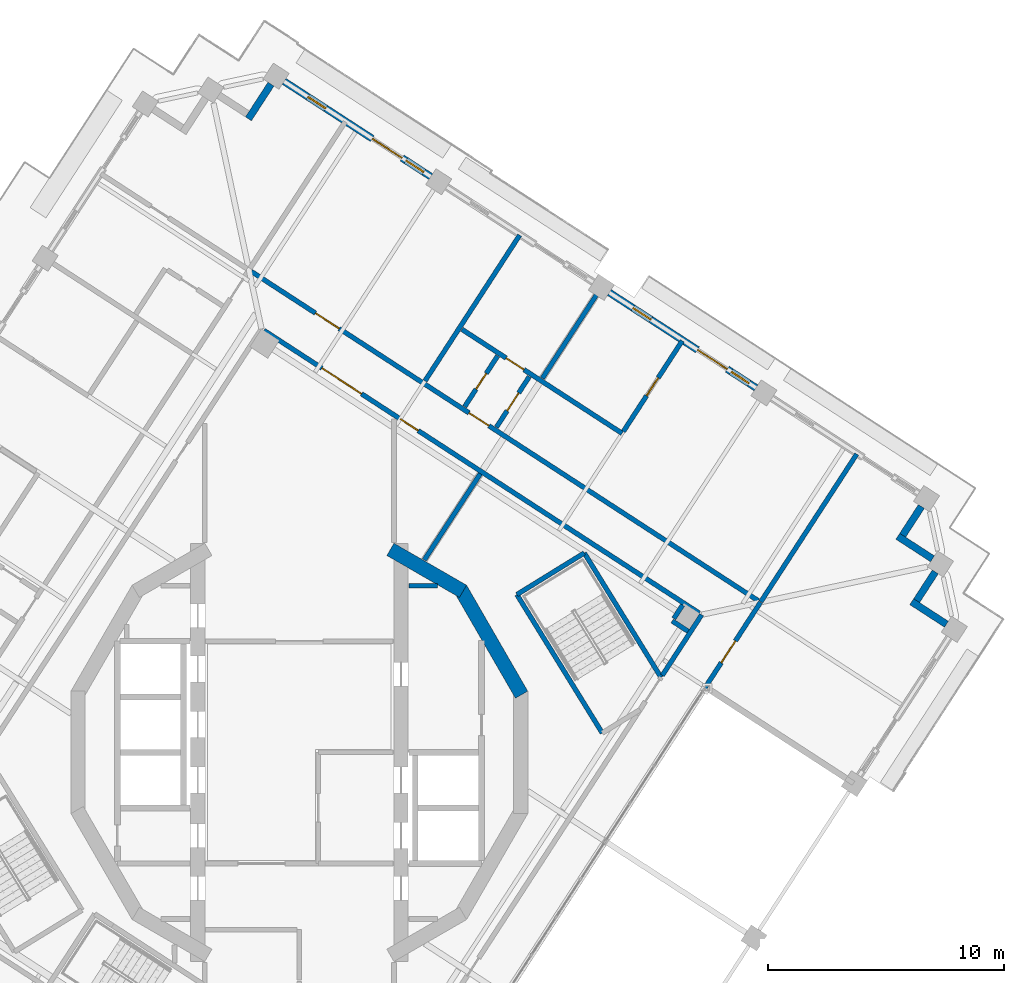
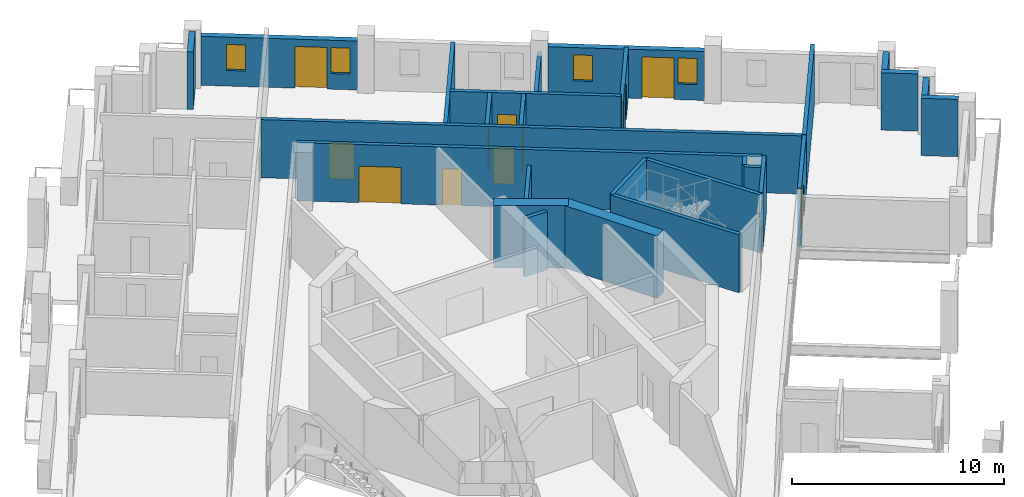
# One storey, part 10 of 17: 27 walls, 11 doors, 4 windows, 15 openings.
"""IFC4 building model written with IfcOpenShell, lengths in metres."""

from ifc_helpers import new_model, si_unit, direction, frame, frame_2d, origin, place, context, subcontext, project, spatial, rectangle, extrude, material, layer, layer_set, type_object, element, fill, save


model = new_model("IFC4")

# Units and contexts
model_context = context("Model", 3, precision=1e-05, world=origin(), true_north=direction((0.0, 1.0)))
body_context = subcontext(model_context, "Body", "Model", "MODEL_VIEW")
ifc_project = project(units=[si_unit("LENGTHUNIT", "METRE"), si_unit("AREAUNIT", "SQUARE_METRE"), si_unit("VOLUMEUNIT", "CUBIC_METRE"), si_unit("PLANEANGLEUNIT", "RADIAN"), si_unit("MASSUNIT", "GRAM", prefix="KILO")], contexts=[model_context])

# Site, building, storey
site_placement = place(None, origin())
site = spatial("IfcSite", under=ifc_project, at=site_placement, CompositionType="ELEMENT")
building_placement = place(site_placement, origin())
building = spatial("IfcBuilding", under=site, at=building_placement, Name="Cantera Rosa Tower", CompositionType="ELEMENT")
storey_placement = place(building_placement, frame((0.0, 0.0, 264.89990234375)))
storey = spatial("IfcBuildingStorey", under=building, at=storey_placement, Name="L59", CompositionType="ELEMENT", Elevation=264.89990234375)

# Wall, opening, door
ifc_material_1 = material(Name="Gypsum board partition")
ifc_layer_1 = layer(ifc_material_1, 0.199951171875)
ifc_layer_set_1 = layer_set([ifc_layer_1], Name="CORRIDOR WALL 200 H3350")
wall_type_1 = type_object("IfcWallType", Name="CORRIDOR WALL 200 H3350", PredefinedType="PARTITIONING", material=ifc_layer_set_1)
wall_1_placement = place(storey_placement, frame((17.106689453125, 2.656494140625, 0.0), z_axis=(0.0, 0.0, 1.0), x_axis=(0.544620124776, 0.838682848095, 0.0)))
wall_1 = element("IfcWall", 1, at=wall_1_placement, inside=storey, type_object=wall_type_1, Name="CORRIDOR WALL L59-067", PredefinedType="PARTITIONING", context=body_context, shape_type="SweptSolid", body=[
    extrude(rectangle(XDim=4.4052734375, YDim=0.199951171875, at=frame_2d((2.20263671875, 0.0))), origin(), (0.0, 0.0, 1.0), 3.35009765625),
])
opening_1_placement = place(wall_1_placement, frame((1.35498046875, 0.0, 0.0)))
opening_1 = element("IfcOpeningElement", 2, at=opening_1_placement, cuts=wall_1, Name="Opening L59-048", PredefinedType="OPENING", context=body_context, shape_type="SweptSolid", body=[
    extrude(rectangle(XDim=1.10009765625, YDim=2.10009765625, at=frame_2d((0.550048828125, 1.050048828125))), frame((0.0, 0.10986328125, 0.0), z_axis=(0.0, -1.0, 0.0), x_axis=(1.0, 0.0, 0.0)), (0.0, 0.0, 1.0), 0.219970703125),
])
ifc_material_2 = material(Name="Timber door leaf", Category="wood")
door_type_1 = type_object("IfcDoorType", Name="ROOM DOOR 1100x2100", OperationType="NOTDEFINED", PredefinedType="DOOR", material=ifc_material_2)
door_1_placement = place(opening_1_placement, origin())
door_1 = element("IfcDoor", 3, at=door_1_placement, inside=storey, type_object=door_type_1, Name="DOOR L59-048", OperationType="NOTDEFINED", OverallHeight=2.10009765625, OverallWidth=1.10009765625, PredefinedType="DOOR", context=body_context, shape_type="SweptSolid", body=[
    extrude(rectangle(XDim=1.10009765625, YDim=2.10009765625, at=frame_2d((0.550048828125, 1.050048828125))), frame((0.0, 0.02490234375, 0.0), z_axis=(0.0, -1.0, 0.0), x_axis=(1.0, 0.0, 0.0)), (0.0, 0.0, 1.0), 0.050048828125),
])
fill(opening_1, door_1)

# Wall
wall_2_placement = place(storey_placement, frame((15.349853515625, 3.256103515625, 0.0), z_axis=(0.0, 0.0, 1.0), x_axis=(0.544603984755, 0.838693328809, 0.0)))
element("IfcWall", 4, at=wall_2_placement, inside=storey, type_object=wall_type_1, Name="CORRIDOR WALL L59-094", PredefinedType="PARTITIONING", context=body_context, shape_type="SweptSolid", body=[
    extrude(rectangle(XDim=3.05908203125, YDim=0.199951171875, at=frame_2d((1.529541015625, 0.0))), origin(), (0.0, 0.0, 1.0), 3.35009765625),
])

# Wall, openings, doors
wall_3_placement = place(storey_placement, frame((16.915283203125, 5.88720703125, 0.0), z_axis=(0.0, 0.0, 1.0), x_axis=(-0.838672399173, 0.544636215161, 0.0)))
wall_3 = element("IfcWall", 5, at=wall_3_placement, inside=storey, type_object=wall_type_1, Name="CORRIDOR WALL L59-098", PredefinedType="PARTITIONING", context=body_context, shape_type="SweptSolid", body=[
    extrude(rectangle(XDim=21.9599609375, YDim=0.199951171875, at=frame_2d((10.97998046875, 0.0))), origin(), (0.0, 0.0, 1.0), 3.35009765625),
])
opening_2_placement = place(wall_3_placement, frame((14.17626953125, 0.0, 0.0)))
opening_2 = element("IfcOpeningElement", 6, at=opening_2_placement, cuts=wall_3, Name="Opening L59-004", PredefinedType="OPENING", context=body_context, shape_type="SweptSolid", body=[
    extrude(rectangle(XDim=0.89990234375, YDim=2.10009765625, at=frame_2d((0.449951171875, 1.050048828125))), frame((0.0, 0.10986328125, 0.0), z_axis=(0.0, -1.0, 0.0), x_axis=(1.0, 0.0, 0.0)), (0.0, 0.0, 1.0), 0.219970703125),
])
opening_3_placement = place(wall_3_placement, frame((17.030029296875, 0.0, 0.0)))
opening_3 = element("IfcOpeningElement", 7, at=opening_3_placement, cuts=wall_3, Name="Opening L59-008", PredefinedType="OPENING", context=body_context, shape_type="SweptSolid", body=[
    extrude(rectangle(XDim=2.0, YDim=2.10009765625, at=frame_2d((1.0, 1.050048828125))), frame((0.0, 0.10986328125, 0.0), z_axis=(0.0, -1.0, 0.0), x_axis=(1.0, 0.0, 0.0)), (0.0, 0.0, 1.0), 0.219970703125),
])
ifc_material_3 = material(Name="Steel S355J2 (EN 10025-2)", Category="steel")
door_type_2 = type_object("IfcDoorType", Name="LOBBY SCREEN DOOR 2000x2100", OperationType="NOTDEFINED", PredefinedType="DOOR", material=ifc_material_3)
door_2_placement = place(opening_3_placement, origin())
door_2 = element("IfcDoor", 8, at=door_2_placement, inside=storey, type_object=door_type_2, Name="DOOR L59-008", OperationType="NOTDEFINED", OverallHeight=2.10009765625, OverallWidth=2.0, PredefinedType="DOOR", context=body_context, shape_type="SweptSolid", body=[
    extrude(rectangle(XDim=2.0, YDim=2.10009765625, at=frame_2d((1.0, 1.050048828125))), frame((0.0, 0.02490234375, 0.0), z_axis=(0.0, -1.0, 0.0), x_axis=(1.0, 0.0, 0.0)), (0.0, 0.0, 1.0), 0.050048828125),
])
fill(opening_3, door_2)
ifc_material_4 = material(Name="Timber door leaf", Category="wood")
door_type_3 = type_object("IfcDoorType", Name="SERVICE DOOR 900x2100", OperationType="NOTDEFINED", PredefinedType="DOOR", material=ifc_material_4)
door_3_placement = place(opening_2_placement, origin())
door_3 = element("IfcDoor", 9, at=door_3_placement, inside=storey, type_object=door_type_3, Name="DOOR L59-004", OperationType="NOTDEFINED", OverallHeight=2.10009765625, OverallWidth=0.89990234375, PredefinedType="DOOR", context=body_context, shape_type="SweptSolid", body=[
    extrude(rectangle(XDim=0.89990234375, YDim=2.10009765625, at=frame_2d((0.449951171875, 1.050048828125))), frame((0.0, 0.02490234375, 0.0), z_axis=(0.0, -1.0, 0.0), x_axis=(1.0, 0.0, 0.0)), (0.0, 0.0, 1.0), 0.050048828125),
])
fill(opening_2, door_3)

wall_4_placement = place(storey_placement, frame((19.4052734375, 6.416259765625, 0.0), z_axis=(0.0, 0.0, 1.0), x_axis=(-0.838668754336, 0.544641827718, 0.0)))
wall_4 = element("IfcWall", 10, at=wall_4_placement, inside=storey, type_object=wall_type_1, Name="CORRIDOR WALL L59-099", PredefinedType="PARTITIONING", context=body_context, shape_type="SweptSolid", body=[
    extrude(rectangle(XDim=25.56005859375, YDim=0.199951171875, at=frame_2d((12.780029296875, 0.0))), origin(), (0.0, 0.0, 1.0), 3.35009765625),
])
opening_4_placement = place(wall_4_placement, frame((13.580078125, 0.0, 0.0)))
opening_4 = element("IfcOpeningElement", 11, at=opening_4_placement, cuts=wall_4, Name="Opening L59-019", PredefinedType="OPENING", context=body_context, shape_type="SweptSolid", body=[
    extrude(rectangle(XDim=1.0, YDim=2.10009765625, at=frame_2d((0.5, 1.050048828125))), frame((0.0, 0.10986328125, 0.0), z_axis=(0.0, -1.0, 0.0), x_axis=(1.0, 0.0, 0.0)), (0.0, 0.0, 1.0), 0.219970703125),
])
opening_5_placement = place(wall_4_placement, frame((21.1298828125, 0.0, 0.0)))
opening_5 = element("IfcOpeningElement", 12, at=opening_5_placement, cuts=wall_4, Name="Opening L59-024", PredefinedType="OPENING", context=body_context, shape_type="SweptSolid", body=[
    extrude(rectangle(XDim=1.199951171875, YDim=2.10009765625, at=frame_2d((0.60009765625, 1.050048828125))), frame((0.0, 0.10986328125, 0.0), z_axis=(0.0, -1.0, 0.0), x_axis=(1.0, 0.0, 0.0)), (0.0, 0.0, 1.0), 0.219970703125),
])
ifc_material_5 = material(Name="Timber door leaf", Category="wood")
door_type_4 = type_object("IfcDoorType", Name="ENTRANCE DOOR 1000x2100", OperationType="NOTDEFINED", PredefinedType="DOOR", material=ifc_material_5)
door_4_placement = place(opening_4_placement, origin())
door_4 = element("IfcDoor", 13, at=door_4_placement, inside=storey, type_object=door_type_4, Name="DOOR L59-019", OperationType="NOTDEFINED", OverallHeight=2.10009765625, OverallWidth=1.0, PredefinedType="DOOR", context=body_context, shape_type="SweptSolid", body=[
    extrude(rectangle(XDim=1.0, YDim=2.10009765625, at=frame_2d((0.5, 1.050048828125))), frame((0.0, 0.02490234375, 0.0), z_axis=(0.0, -1.0, 0.0), x_axis=(1.0, 0.0, 0.0)), (0.0, 0.0, 1.0), 0.050048828125),
])
fill(opening_4, door_4)
ifc_material_6 = material(Name="Timber door leaf", Category="wood")
door_type_5 = type_object("IfcDoorType", Name="ROOM DOOR 1200x2100", OperationType="NOTDEFINED", PredefinedType="DOOR", material=ifc_material_6)
door_5_placement = place(opening_5_placement, origin())
door_5 = element("IfcDoor", 14, at=door_5_placement, inside=storey, type_object=door_type_5, Name="DOOR L59-024", OperationType="NOTDEFINED", OverallHeight=2.10009765625, OverallWidth=1.199951171875, PredefinedType="DOOR", context=body_context, shape_type="SweptSolid", body=[
    extrude(rectangle(XDim=1.199951171875, YDim=2.10009765625, at=frame_2d((0.60009765625, 1.050048828125))), frame((0.0, 0.02490234375, 0.0), z_axis=(0.0, -1.0, 0.0), x_axis=(1.0, 0.0, 0.0)), (0.0, 0.0, 1.0), 0.050048828125),
])
fill(opening_5, door_5)

# Walls
ifc_material_7 = material(Name="Hollow clay masonry with cantera stone cladding", Category="masonry")
ifc_layer_2 = layer(ifc_material_7, 0.300048828125)
ifc_layer_set_2 = layer_set([ifc_layer_2], Name="EW-LOGGIA 300")
wall_type_2 = type_object("IfcWallType", Name="EW-LOGGIA 300", PredefinedType="SOLIDWALL", material=ifc_layer_set_2)
for number, where, z_axis, x_axis, name in (
    (15, (-1.2001953125, 28.263427734375, 0.0), (0.0, 0.0, 1.0), (-0.54461563776, -0.838685761837, 0.0), "EN-L59-W05a"),
    (16, (27.36669921875, 5.41943359375, 0.0), (0.0, 0.0, 1.0), (-0.838685761837, 0.54461563776, 0.0), "EN-L59-W25a"),
):
    element("IfcWall", number, at=place(storey_placement, frame(where, z_axis=z_axis, x_axis=x_axis)), inside=storey, type_object=wall_type_2, Name=name, PredefinedType="SOLIDWALL", context=body_context, shape_type="SweptSolid", body=[
        extrude(rectangle(XDim=1.75, YDim=0.300048828125, at=frame_2d((0.875, 0.0))), origin(), (0.0, 0.0, 1.0), 3.300048828125),
    ])
wall_5_placement = place(storey_placement, frame((26.1064453125, 6.41650390625, 0.0), z_axis=(0.0, 0.0, 1.0), x_axis=(0.54467465438, 0.838647435384, 0.0)))
element("IfcWall", 17, at=wall_5_placement, inside=storey, type_object=wall_type_2, Name="EN-L59-W25b", PredefinedType="SOLIDWALL", context=body_context, shape_type="SweptSolid", body=[
    extrude(rectangle(XDim=1.449951171875, YDim=0.300048828125, at=frame_2d((0.72509765625, 0.0))), origin(), (0.0, 0.0, 1.0), 3.300048828125),
])
wall_6_placement = place(storey_placement, frame((26.778564453125, 8.18603515625, 0.0), z_axis=(0.0, 0.0, 1.0), x_axis=(-0.838685761837, 0.54461563776, 0.0)))
element("IfcWall", 18, at=wall_6_placement, inside=storey, type_object=wall_type_2, Name="EN-L59-W26a", PredefinedType="SOLIDWALL", context=body_context, shape_type="SweptSolid", body=[
    extrude(rectangle(XDim=1.75, YDim=0.300048828125, at=frame_2d((0.875, 0.0))), origin(), (0.0, 0.0, 1.0), 3.300048828125),
])
wall_7_placement = place(storey_placement, frame((25.518310546875, 9.18310546875, 0.0), z_axis=(0.0, 0.0, 1.0), x_axis=(0.54467465438, 0.838647435384, 0.0)))
element("IfcWall", 19, at=wall_7_placement, inside=storey, type_object=wall_type_2, Name="EN-L59-W26b", PredefinedType="SOLIDWALL", context=body_context, shape_type="SweptSolid", body=[
    extrude(rectangle(XDim=1.449951171875, YDim=0.300048828125, at=frame_2d((0.72509765625, 0.0))), origin(), (0.0, 0.0, 1.0), 3.300048828125),
])

# Wall, openings, windows, door
ifc_material_8 = material(Name="Hollow clay masonry with cantera stone cladding", Category="masonry")
ifc_layer_3 = layer(ifc_material_8, 0.300048828125)
ifc_layer_set_3 = layer_set([ifc_layer_3], Name="EW-LOGGIA 300 H2820")
wall_type_3 = type_object("IfcWallType", Name="EW-LOGGIA 300 H2820", PredefinedType="SOLIDWALL", material=ifc_layer_set_3)
wall_8_placement = place(storey_placement, frame((19.3134765625, 15.418701171875, 0.0), z_axis=(0.0, 0.0, 1.0), x_axis=(-0.838679465365, 0.544625333946, 0.0)))
wall_8 = element("IfcWall", 20, at=wall_8_placement, inside=storey, type_object=wall_type_3, Name="EN-L59-W02", PredefinedType="SOLIDWALL", context=body_context, shape_type="SweptSolid", body=[
    extrude(rectangle(XDim=7.400146484375, YDim=0.300048828125, at=frame_2d((3.7001953125, 0.0))), origin(), (0.0, 0.0, 1.0), 2.820068359375),
])
opening_6_placement = place(wall_8_placement, frame((0.35009765625, 0.0, 0.89990234375)))
opening_6 = element("IfcOpeningElement", 21, at=opening_6_placement, cuts=wall_8, Name="Opening L59-W04", PredefinedType="OPENING", context=body_context, shape_type="SweptSolid", body=[
    extrude(rectangle(XDim=0.89990234375, YDim=1.5, at=frame_2d((0.449951171875, 0.75))), frame((0.0, 0.159912109375, 0.0), z_axis=(0.0, -1.0, 0.0), x_axis=(1.0, 0.0, 0.0)), (0.0, 0.0, 1.0), 0.320068359375),
])
opening_7_placement = place(wall_8_placement, frame((1.449951171875, 0.0, 0.0)))
opening_7 = element("IfcOpeningElement", 22, at=opening_7_placement, cuts=wall_8, Name="Opening L59-TD05", PredefinedType="OPENING", context=body_context, shape_type="SweptSolid", body=[
    extrude(rectangle(XDim=1.5, YDim=2.39990234375, at=frame_2d((0.75, 1.199951171875))), frame((0.0, 0.159912109375, 0.0), z_axis=(0.0, -1.0, 0.0), x_axis=(1.0, 0.0, 0.0)), (0.0, 0.0, 1.0), 0.320068359375),
])
opening_8_placement = place(wall_8_placement, frame((5.300048828125, 0.0, 0.89990234375)))
opening_8 = element("IfcOpeningElement", 23, at=opening_8_placement, cuts=wall_8, Name="Opening L59-W06", PredefinedType="OPENING", context=body_context, shape_type="SweptSolid", body=[
    extrude(rectangle(XDim=0.89990234375, YDim=1.5, at=frame_2d((0.449951171875, 0.75))), frame((0.0, 0.159912109375, 0.0), z_axis=(0.0, -1.0, 0.0), x_axis=(1.0, 0.0, 0.0)), (0.0, 0.0, 1.0), 0.320068359375),
])
ifc_material_9 = material(Name="Aluminium frame with clear glass", Category="aluminium")
window_type = type_object("IfcWindowType", Name="Residential window 900x1500", PartitioningType="SINGLE_PANEL", PredefinedType="WINDOW", material=ifc_material_9)
window_1_placement = place(opening_6_placement, origin())
window_1 = element("IfcWindow", 24, at=window_1_placement, inside=storey, type_object=window_type, Name="WINDOW L59-W04", OverallHeight=1.5, OverallWidth=0.89990234375, PartitioningType="SINGLE_PANEL", PredefinedType="WINDOW", context=body_context, shape_type="SweptSolid", body=[
    extrude(rectangle(XDim=0.89990234375, YDim=1.5, at=frame_2d((0.449951171875, 0.75))), frame((0.0, 0.030029296875, 0.0), z_axis=(0.0, -1.0, 0.0), x_axis=(1.0, 0.0, 0.0)), (0.0, 0.0, 1.0), 0.06005859375),
])
fill(opening_6, window_1)
window_2_placement = place(opening_8_placement, origin())
window_2 = element("IfcWindow", 25, at=window_2_placement, inside=storey, type_object=window_type, Name="WINDOW L59-W06", OverallHeight=1.5, OverallWidth=0.89990234375, PartitioningType="SINGLE_PANEL", PredefinedType="WINDOW", context=body_context, shape_type="SweptSolid", body=[
    extrude(rectangle(XDim=0.89990234375, YDim=1.5, at=frame_2d((0.449951171875, 0.75))), frame((0.0, 0.030029296875, 0.0), z_axis=(0.0, -1.0, 0.0), x_axis=(1.0, 0.0, 0.0)), (0.0, 0.0, 1.0), 0.06005859375),
])
fill(opening_8, window_2)
ifc_material_10 = material(Name="Aluminium frame with clear glass", Category="aluminium")
door_type_6 = type_object("IfcDoorType", Name="TD-R 1500x2400", OperationType="NOTDEFINED", PredefinedType="DOOR", material=ifc_material_10)
door_6_placement = place(opening_7_placement, origin())
door_6 = element("IfcDoor", 26, at=door_6_placement, inside=storey, type_object=door_type_6, Name="LOGGIA DOOR L59-TD05", OperationType="SLIDING_TO_LEFT", OverallHeight=2.39990234375, OverallWidth=1.5, PredefinedType="DOOR", context=body_context, shape_type="SweptSolid", body=[
    extrude(rectangle(XDim=1.5, YDim=2.39990234375, at=frame_2d((0.75, 1.199951171875))), frame((0.0, 0.02490234375, 0.0), z_axis=(0.0, -1.0, 0.0), x_axis=(1.0, 0.0, 0.0)), (0.0, 0.0, 1.0), 0.050048828125),
])
fill(opening_7, door_6)

wall_9_placement = place(storey_placement, frame((5.559326171875, 24.350830078125, 0.0), z_axis=(0.0, 0.0, 1.0), x_axis=(-0.838679465365, 0.544625333946, 0.0)))
wall_9 = element("IfcWall", 27, at=wall_9_placement, inside=storey, type_object=wall_type_3, Name="EN-L59-W04", PredefinedType="SOLIDWALL", context=body_context, shape_type="SweptSolid", body=[
    extrude(rectangle(XDim=7.400146484375, YDim=0.300048828125, at=frame_2d((3.7001953125, 0.0))), origin(), (0.0, 0.0, 1.0), 2.820068359375),
])
opening_9_placement = place(wall_9_placement, frame((0.35009765625, 0.0, 0.89990234375)))
opening_9 = element("IfcOpeningElement", 28, at=opening_9_placement, cuts=wall_9, Name="Opening L59-W10", PredefinedType="OPENING", context=body_context, shape_type="SweptSolid", body=[
    extrude(rectangle(XDim=0.89990234375, YDim=1.5, at=frame_2d((0.449951171875, 0.75))), frame((0.0, 0.159912109375, 0.0), z_axis=(0.0, -1.0, 0.0), x_axis=(1.0, 0.0, 0.0)), (0.0, 0.0, 1.0), 0.320068359375),
])
opening_10_placement = place(wall_9_placement, frame((1.449951171875, 0.0, 0.0)))
opening_10 = element("IfcOpeningElement", 29, at=opening_10_placement, cuts=wall_9, Name="Opening L59-TD11", PredefinedType="OPENING", context=body_context, shape_type="SweptSolid", body=[
    extrude(rectangle(XDim=1.5, YDim=2.39990234375, at=frame_2d((0.75, 1.199951171875))), frame((0.0, 0.159912109375, 0.0), z_axis=(0.0, -1.0, 0.0), x_axis=(1.0, 0.0, 0.0)), (0.0, 0.0, 1.0), 0.320068359375),
])
opening_11_placement = place(wall_9_placement, frame((5.300048828125, 0.0, 0.89990234375)))
opening_11 = element("IfcOpeningElement", 30, at=opening_11_placement, cuts=wall_9, Name="Opening L59-W12", PredefinedType="OPENING", context=body_context, shape_type="SweptSolid", body=[
    extrude(rectangle(XDim=0.89990234375, YDim=1.5, at=frame_2d((0.449951171875, 0.75))), frame((0.0, 0.159912109375, 0.0), z_axis=(0.0, -1.0, 0.0), x_axis=(1.0, 0.0, 0.0)), (0.0, 0.0, 1.0), 0.320068359375),
])
window_3_placement = place(opening_9_placement, origin())
window_3 = element("IfcWindow", 31, at=window_3_placement, inside=storey, type_object=window_type, Name="WINDOW L59-W10", OverallHeight=1.5, OverallWidth=0.89990234375, PartitioningType="SINGLE_PANEL", PredefinedType="WINDOW", context=body_context, shape_type="SweptSolid", body=[
    extrude(rectangle(XDim=0.89990234375, YDim=1.5, at=frame_2d((0.449951171875, 0.75))), frame((0.0, 0.030029296875, 0.0), z_axis=(0.0, -1.0, 0.0), x_axis=(1.0, 0.0, 0.0)), (0.0, 0.0, 1.0), 0.06005859375),
])
fill(opening_9, window_3)
window_4_placement = place(opening_11_placement, origin())
window_4 = element("IfcWindow", 32, at=window_4_placement, inside=storey, type_object=window_type, Name="WINDOW L59-W12", OverallHeight=1.5, OverallWidth=0.89990234375, PartitioningType="SINGLE_PANEL", PredefinedType="WINDOW", context=body_context, shape_type="SweptSolid", body=[
    extrude(rectangle(XDim=0.89990234375, YDim=1.5, at=frame_2d((0.449951171875, 0.75))), frame((0.0, 0.030029296875, 0.0), z_axis=(0.0, -1.0, 0.0), x_axis=(1.0, 0.0, 0.0)), (0.0, 0.0, 1.0), 0.06005859375),
])
fill(opening_11, window_4)
door_7_placement = place(opening_10_placement, origin())
door_7 = element("IfcDoor", 33, at=door_7_placement, inside=storey, type_object=door_type_6, Name="LOGGIA DOOR L59-TD11", OperationType="SLIDING_TO_LEFT", OverallHeight=2.39990234375, OverallWidth=1.5, PredefinedType="DOOR", context=body_context, shape_type="SweptSolid", body=[
    extrude(rectangle(XDim=1.5, YDim=2.39990234375, at=frame_2d((0.75, 1.199951171875))), frame((0.0, 0.02490234375, 0.0), z_axis=(0.0, -1.0, 0.0), x_axis=(1.0, 0.0, 0.0)), (0.0, 0.0, 1.0), 0.050048828125),
])
fill(opening_10, door_7)

# Walls
ifc_material_11 = material(Name="Gypsum board partition")
ifc_layer_4 = layer(ifc_material_11, 0.199951171875)
ifc_layer_set_4 = layer_set([ifc_layer_4], Name="PARTITION 200 H2450")
wall_type_4 = type_object("IfcWallType", Name="PARTITION 200 H2450", PredefinedType="PARTITIONING", material=ifc_layer_set_4)
wall_10_placement = place(storey_placement, frame((7.652099609375, 11.783203125, 0.0), z_axis=(0.0, 0.0, 1.0), x_axis=(-0.544629041503, -0.838677057724, 0.0)))
element("IfcWall", 34, at=wall_10_placement, inside=storey, type_object=wall_type_4, Name="PARTITION L59-080", PredefinedType="PARTITIONING", context=body_context, shape_type="SweptSolid", body=[
    extrude(rectangle(XDim=4.347412109375, YDim=0.199951171875, at=frame_2d((2.173828125, 0.0))), origin(), (0.0, 0.0, 1.0), 2.4501953125),
])
wall_11_placement = place(storey_placement, frame((12.75537109375, 19.6416015625, 0.0), z_axis=(0.0, 0.0, 1.0), x_axis=(-0.544629951314, -0.8386764669, 0.0)))
element("IfcWall", 35, at=wall_11_placement, inside=storey, type_object=wall_type_4, Name="PARTITION L59-089", PredefinedType="PARTITIONING", context=body_context, shape_type="SweptSolid", body=[
    extrude(rectangle(XDim=4.550048828125, YDim=0.199951171875, at=frame_2d((2.27490234375, 0.0))), origin(), (0.0, 0.0, 1.0), 2.4501953125),
])

# Wall, opening, door
ifc_material_12 = material(Name="Gypsum board partition")
ifc_layer_5 = layer(ifc_material_12, 0.199951171875)
ifc_layer_set_5 = layer_set([ifc_layer_5], Name="PARTITION 200 H2850")
wall_type_5 = type_object("IfcWallType", Name="PARTITION 200 H2850", PredefinedType="PARTITIONING", material=ifc_layer_set_5)
wall_12_placement = place(storey_placement, frame((16.194091796875, 17.40869140625, 0.0), z_axis=(0.0, 0.0, 1.0), x_axis=(-0.544637163551, -0.838671783285, 0.0)))
wall_12 = element("IfcWall", 36, at=wall_12_placement, inside=storey, type_object=wall_type_5, Name="PARTITION L59-096", PredefinedType="PARTITIONING", context=body_context, shape_type="SweptSolid", body=[
    extrude(rectangle(XDim=4.570068359375, YDim=0.199951171875, at=frame_2d((2.28515625, 0.0))), origin(), (0.0, 0.0, 1.0), 2.85009765625),
])
opening_12_placement = place(wall_12_placement, frame((1.8701171875, 0.0, 0.0)))
opening_12 = element("IfcOpeningElement", 37, at=opening_12_placement, cuts=wall_12, Name="Opening L59-023", PredefinedType="OPENING", context=body_context, shape_type="SweptSolid", body=[
    extrude(rectangle(XDim=0.89990234375, YDim=2.10009765625, at=frame_2d((0.449951171875, 1.050048828125))), frame((0.0, 0.10986328125, 0.0), z_axis=(0.0, -1.0, 0.0), x_axis=(1.0, 0.0, 0.0)), (0.0, 0.0, 1.0), 0.219970703125),
])
ifc_material_13 = material(Name="Timber door leaf", Category="wood")
door_type_7 = type_object("IfcDoorType", Name="ROOM DOOR 900x2100", OperationType="NOTDEFINED", PredefinedType="DOOR", material=ifc_material_13)
door_8_placement = place(opening_12_placement, origin())
door_8 = element("IfcDoor", 38, at=door_8_placement, inside=storey, type_object=door_type_7, Name="DOOR L59-023", OperationType="NOTDEFINED", OverallHeight=2.10009765625, OverallWidth=0.89990234375, PredefinedType="DOOR", context=body_context, shape_type="SweptSolid", body=[
    extrude(rectangle(XDim=0.89990234375, YDim=2.10009765625, at=frame_2d((0.449951171875, 1.050048828125))), frame((0.0, 0.02490234375, 0.0), z_axis=(0.0, -1.0, 0.0), x_axis=(1.0, 0.0, 0.0)), (0.0, 0.0, 1.0), 0.050048828125),
])
fill(opening_12, door_8)

# Wall
ifc_material_14 = material(Name="Gypsum board partition")
ifc_layer_6 = layer(ifc_material_14, 0.199951171875)
ifc_layer_set_6 = layer_set([ifc_layer_6], Name="PARTITION 200 H3350")
wall_type_6 = type_object("IfcWallType", Name="PARTITION 200 H3350", PredefinedType="PARTITIONING", material=ifc_layer_set_6)
wall_13_placement = place(storey_placement, frame((4.6298828125, 7.050048828125, 0.0), z_axis=(0.0, 0.0, 1.0), x_axis=(1.0, 0.0, 0.0)))
element("IfcWall", 39, at=wall_13_placement, inside=storey, type_object=wall_type_6, Name="PARTITION L59-072", PredefinedType="PARTITIONING", context=body_context, shape_type="SweptSolid", body=[
    extrude(rectangle(XDim=1.2177734375, YDim=0.199951171875, at=frame_2d((0.60888671875, 0.0))), origin(), (0.0, 0.0, 1.0), 3.35009765625),
])

# Wall, opening, door
wall_14_placement = place(storey_placement, frame((6.8740234375, 17.892578125, 0.0), z_axis=(0.0, 0.0, 1.0), x_axis=(0.838683778362, -0.544618692218, 0.0)))
wall_14 = element("IfcWall", 40, at=wall_14_placement, inside=storey, type_object=wall_type_6, Name="PARTITION L59-076", PredefinedType="PARTITIONING", context=body_context, shape_type="SweptSolid", body=[
    extrude(rectangle(XDim=8.079833984375, YDim=0.199951171875, at=frame_2d((4.0400390625, 0.0))), origin(), (0.0, 0.0, 1.0), 3.35009765625),
])
opening_13_placement = place(wall_14_placement, frame((2.22998046875, 0.0, 0.0)))
opening_13 = element("IfcOpeningElement", 41, at=opening_13_placement, cuts=wall_14, Name="Opening L59-022", PredefinedType="OPENING", context=body_context, shape_type="SweptSolid", body=[
    extrude(rectangle(XDim=0.89990234375, YDim=2.10009765625, at=frame_2d((0.449951171875, 1.050048828125))), frame((0.0, 0.10986328125, 0.0), z_axis=(0.0, -1.0, 0.0), x_axis=(1.0, 0.0, 0.0)), (0.0, 0.0, 1.0), 0.219970703125),
])
door_9_placement = place(opening_13_placement, origin())
door_9 = element("IfcDoor", 42, at=door_9_placement, inside=storey, type_object=door_type_7, Name="DOOR L59-022", OperationType="NOTDEFINED", OverallHeight=2.10009765625, OverallWidth=0.89990234375, PredefinedType="DOOR", context=body_context, shape_type="SweptSolid", body=[
    extrude(rectangle(XDim=0.89990234375, YDim=2.10009765625, at=frame_2d((0.449951171875, 1.050048828125))), frame((0.0, 0.02490234375, 0.0), z_axis=(0.0, -1.0, 0.0), x_axis=(1.0, 0.0, 0.0)), (0.0, 0.0, 1.0), 0.050048828125),
])
fill(opening_13, door_9)

wall_15_placement = place(storey_placement, frame((8.385498046875, 16.768310546875, 0.0), z_axis=(0.0, 0.0, 1.0), x_axis=(-0.544602829464, -0.838694078994, 0.0)))
wall_15 = element("IfcWall", 43, at=wall_15_placement, inside=storey, type_object=wall_type_6, Name="PARTITION L59-082", PredefinedType="PARTITIONING", context=body_context, shape_type="SweptSolid", body=[
    extrude(rectangle(XDim=2.560302734375, YDim=0.199951171875, at=frame_2d((1.2802734375, 0.0))), origin(), (0.0, 0.0, 1.0), 3.35009765625),
])
opening_14_placement = place(wall_15_placement, frame((0.8798828125, 0.0, 0.0)))
opening_14 = element("IfcOpeningElement", 44, at=opening_14_placement, cuts=wall_15, Name="Opening L59-020", PredefinedType="OPENING", context=body_context, shape_type="SweptSolid", body=[
    extrude(rectangle(XDim=0.800048828125, YDim=2.10009765625, at=frame_2d((0.39990234375, 1.050048828125))), frame((0.0, 0.10986328125, 0.0), z_axis=(0.0, -1.0, 0.0), x_axis=(1.0, 0.0, 0.0)), (0.0, 0.0, 1.0), 0.219970703125),
])
ifc_material_15 = material(Name="Timber door leaf", Category="wood")
door_type_8 = type_object("IfcDoorType", Name="BATHROOM DOOR 800x2100", OperationType="NOTDEFINED", PredefinedType="DOOR", material=ifc_material_15)
door_10_placement = place(opening_14_placement, origin())
door_10 = element("IfcDoor", 45, at=door_10_placement, inside=storey, type_object=door_type_8, Name="DOOR L59-020", OperationType="NOTDEFINED", OverallHeight=2.10009765625, OverallWidth=0.800048828125, PredefinedType="DOOR", context=body_context, shape_type="SweptSolid", body=[
    extrude(rectangle(XDim=0.800048828125, YDim=2.10009765625, at=frame_2d((0.39990234375, 1.050048828125))), frame((0.0, 0.02490234375, 0.0), z_axis=(0.0, -1.0, 0.0), x_axis=(1.0, 0.0, 0.0)), (0.0, 0.0, 1.0), 0.050048828125),
])
fill(opening_14, door_10)

wall_16_placement = place(storey_placement, frame((9.727294921875, 15.896728515625, 0.0), z_axis=(0.0, 0.0, 1.0), x_axis=(-0.544646388536, -0.838665792468, 0.0)))
wall_16 = element("IfcWall", 46, at=wall_16_placement, inside=storey, type_object=wall_type_6, Name="PARTITION L59-085", PredefinedType="PARTITIONING", context=body_context, shape_type="SweptSolid", body=[
    extrude(rectangle(XDim=2.56005859375, YDim=0.199951171875, at=frame_2d((1.280029296875, 0.0))), origin(), (0.0, 0.0, 1.0), 3.35009765625),
])
opening_15_placement = place(wall_16_placement, frame((0.830078125, 0.0, 0.0)))
opening_15 = element("IfcOpeningElement", 47, at=opening_15_placement, cuts=wall_16, Name="Opening L59-021", PredefinedType="OPENING", context=body_context, shape_type="SweptSolid", body=[
    extrude(rectangle(XDim=0.89990234375, YDim=2.10009765625, at=frame_2d((0.449951171875, 1.050048828125))), frame((0.0, 0.10986328125, 0.0), z_axis=(0.0, -1.0, 0.0), x_axis=(1.0, 0.0, 0.0)), (0.0, 0.0, 1.0), 0.219970703125),
])
door_11_placement = place(opening_15_placement, origin())
door_11 = element("IfcDoor", 48, at=door_11_placement, inside=storey, type_object=door_type_7, Name="DOOR L59-021", OperationType="NOTDEFINED", OverallHeight=2.10009765625, OverallWidth=0.89990234375, PredefinedType="DOOR", context=body_context, shape_type="SweptSolid", body=[
    extrude(rectangle(XDim=0.89990234375, YDim=2.10009765625, at=frame_2d((0.449951171875, 1.050048828125))), frame((0.0, 0.02490234375, 0.0), z_axis=(0.0, -1.0, 0.0), x_axis=(1.0, 0.0, 0.0)), (0.0, 0.0, 1.0), 0.050048828125),
])
fill(opening_15, door_11)

# Walls
wall_17_placement = place(storey_placement, frame((15.77099609375, 5.55712890625, 0.0), z_axis=(0.0, 0.0, 1.0), x_axis=(0.838610911516, -0.544730886847, 0.0)))
element("IfcWall", 49, at=wall_17_placement, inside=storey, type_object=wall_type_6, Name="PARTITION L59-095", PredefinedType="PARTITIONING", context=body_context, shape_type="SweptSolid", body=[
    extrude(rectangle(XDim=0.800048828125, YDim=0.199951171875, at=frame_2d((0.39990234375, 0.0))), origin(), (0.0, 0.0, 1.0), 3.35009765625),
])
wall_18_placement = place(storey_placement, frame((16.20654296875, 6.22802734375, 0.0), z_axis=(0.0, 0.0, 1.0), x_axis=(-0.544634959849, -0.838673214375, 0.0)))
element("IfcWall", 50, at=wall_18_placement, inside=storey, type_object=wall_type_6, Name="PARTITION L59-097", PredefinedType="PARTITIONING", context=body_context, shape_type="SweptSolid", body=[
    extrude(rectangle(XDim=0.679931640625, YDim=0.199951171875, at=frame_2d((0.33984375, 0.0))), origin(), (0.0, 0.0, 1.0), 3.35009765625),
])
ifc_material_16 = material(Name="Gypsum board partition")
ifc_layer_7 = layer(ifc_material_16, 0.199951171875)
ifc_layer_set_7 = layer_set([ifc_layer_7], Name="PARTY WALL 200 H2850")
wall_type_7 = type_object("IfcWallType", Name="PARTY WALL 200 H2850", PredefinedType="PARTITIONING", material=ifc_layer_set_7)
wall_19_placement = place(storey_placement, frame((5.313720703125, 15.71044921875, 0.0), z_axis=(0.0, 0.0, 1.0), x_axis=(0.544641550729, 0.838668934217, 0.0)))
element("IfcWall", 51, at=wall_19_placement, inside=storey, type_object=wall_type_7, Name="PARTY WALL L59-074", PredefinedType="PARTITIONING", context=body_context, shape_type="SweptSolid", body=[
    extrude(rectangle(XDim=7.35009765625, YDim=0.199951171875, at=frame_2d((3.675048828125, 0.0))), origin(), (0.0, 0.0, 1.0), 2.85009765625),
])
ifc_material_17 = material(Name="Gypsum board partition")
ifc_layer_8 = layer(ifc_material_17, 0.199951171875)
ifc_layer_set_8 = layer_set([ifc_layer_8], Name="PARTY WALL 200 H3350")
wall_type_8 = type_object("IfcWallType", Name="PARTY WALL 200 H3350", PredefinedType="PARTITIONING", material=ifc_layer_set_8)
wall_20_placement = place(storey_placement, frame((23.57421875, 12.61572265625, 0.0), z_axis=(0.0, 0.0, 1.0), x_axis=(-0.544647353083, -0.83866516607, 0.0)))
element("IfcWall", 52, at=wall_20_placement, inside=storey, type_object=wall_type_8, Name="PARTY WALL L59-101", PredefinedType="PARTITIONING", context=body_context, shape_type="SweptSolid", body=[
    extrude(rectangle(XDim=7.449951171875, YDim=0.199951171875, at=frame_2d((3.72509765625, 0.0))), origin(), (0.0, 0.0, 1.0), 3.35009765625),
])
ifc_material_18 = material(Name="Concrete C50/60", Category="concrete")
ifc_layer_9 = layer(ifc_material_18, 0.60009765625)
ifc_layer_set_9 = layer_set([ifc_layer_9], Name="RC CORE WALL 600 C50/60")
wall_type_9 = type_object("IfcWallType", Name="RC CORE WALL 600 C50/60", PredefinedType="SHEAR", material=ifc_layer_set_9)
wall_21_placement = place(storey_placement, frame((3.85009765625, 8.584228515625, 0.0), z_axis=(0.0, 0.0, 1.0), x_axis=(0.866039982607, -0.499974747889, 0.0)))
element("IfcWall", 53, at=wall_21_placement, inside=storey, type_object=wall_type_9, Name="CW-E1 L59", PredefinedType="SHEAR", context=body_context, shape_type="SweptSolid", body=[
    extrude(rectangle(XDim=3.546142578125, YDim=0.60009765625, at=frame_2d((1.77294921875, 0.0))), origin(), (0.0, 0.0, 1.0), 3.60009765625),
])
wall_22_placement = place(storey_placement, frame((6.811279296875, 6.921142578125, 0.0), z_axis=(0.0, 0.0, 1.0), x_axis=(0.499989188378, -0.866031645787, 0.0)))
element("IfcWall", 54, at=wall_22_placement, inside=storey, type_object=wall_type_9, Name="CW-E2 L59", PredefinedType="SHEAR", context=body_context, shape_type="SweptSolid", body=[
    extrude(rectangle(XDim=5.17626953125, YDim=0.60009765625, at=frame_2d((2.588134765625, 0.0))), origin(), (0.0, 0.0, 1.0), 3.60009765625),
])
ifc_material_19 = material(Name="Concrete C50/60", Category="concrete")
ifc_layer_10 = layer(ifc_material_19, 0.199951171875)
ifc_layer_set_10 = layer_set([ifc_layer_10], Name="STAIR WALL 200 H3350")
wall_type_10 = type_object("IfcWallType", Name="STAIR WALL 200 H3350", PredefinedType="SOLIDWALL", material=ifc_layer_set_10)
wall_23_placement = place(storey_placement, frame((9.199462890625, 6.674072265625, 0.0), z_axis=(0.0, 0.0, 1.0), x_axis=(0.524972254536, -0.851119340614, 0.0)))
element("IfcWall", 55, at=wall_23_placement, inside=storey, type_object=wall_type_10, Name="STAIR WALL L59-084", PredefinedType="SOLIDWALL", context=body_context, shape_type="SweptSolid", body=[
    extrude(rectangle(XDim=6.880126953125, YDim=0.199951171875, at=frame_2d((3.43994140625, 0.0))), origin(), (0.0, 0.0, 1.0), 3.35009765625),
])
wall_24_placement = place(storey_placement, frame((12.05078125, 8.4326171875, 0.0), z_axis=(0.0, 0.0, 1.0), x_axis=(-0.85113993661, -0.524938861495, 0.0)))
element("IfcWall", 56, at=wall_24_placement, inside=storey, type_object=wall_type_10, Name="STAIR WALL L59-088", PredefinedType="SOLIDWALL", context=body_context, shape_type="SweptSolid", body=[
    extrude(rectangle(XDim=3.35009765625, YDim=0.199951171875, at=frame_2d((1.675048828125, 0.0))), origin(), (0.0, 0.0, 1.0), 3.35009765625),
])
wall_25_placement = place(storey_placement, frame((15.29541015625, 3.17236328125, 0.0), z_axis=(0.0, 0.0, 1.0), x_axis=(-0.524983142341, 0.851112624896, 0.0)))
element("IfcWall", 57, at=wall_25_placement, inside=storey, type_object=wall_type_10, Name="STAIR WALL L59-093", PredefinedType="SOLIDWALL", context=body_context, shape_type="SweptSolid", body=[
    extrude(rectangle(XDim=6.180419921875, YDim=0.199951171875, at=frame_2d((3.09033203125, 0.0))), origin(), (0.0, 0.0, 1.0), 3.35009765625),
])

save(model, "model.ifc")
